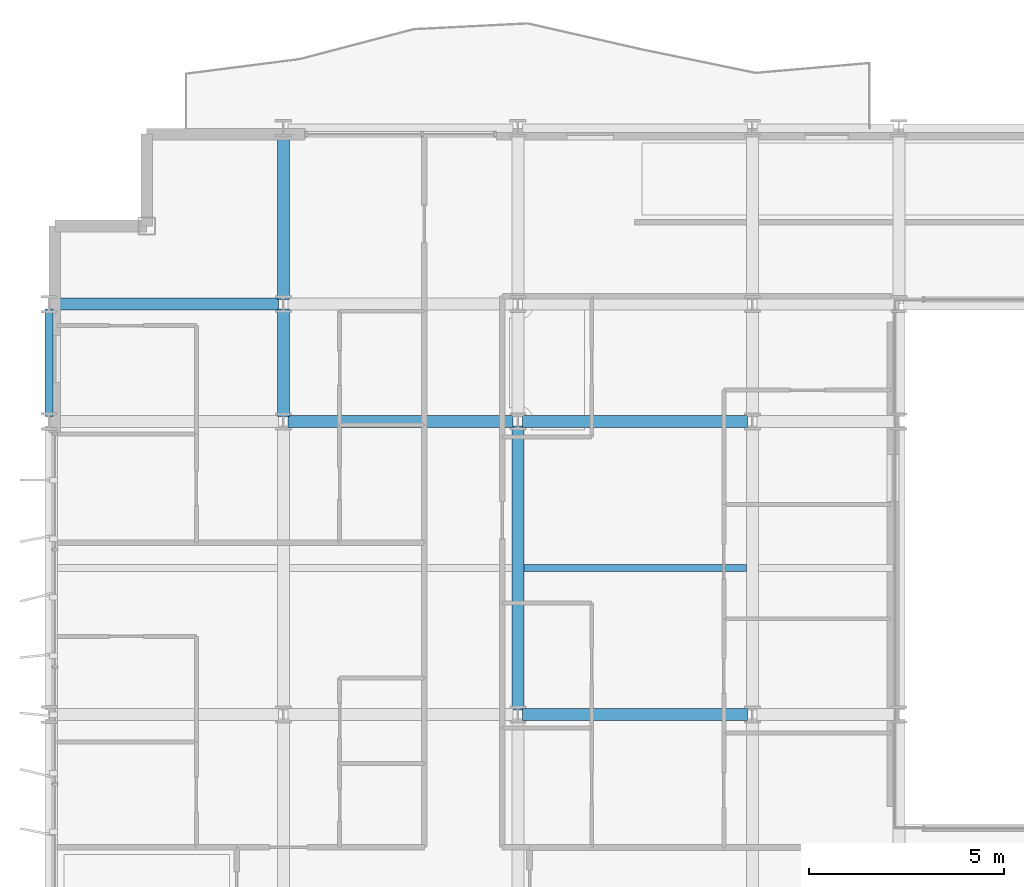
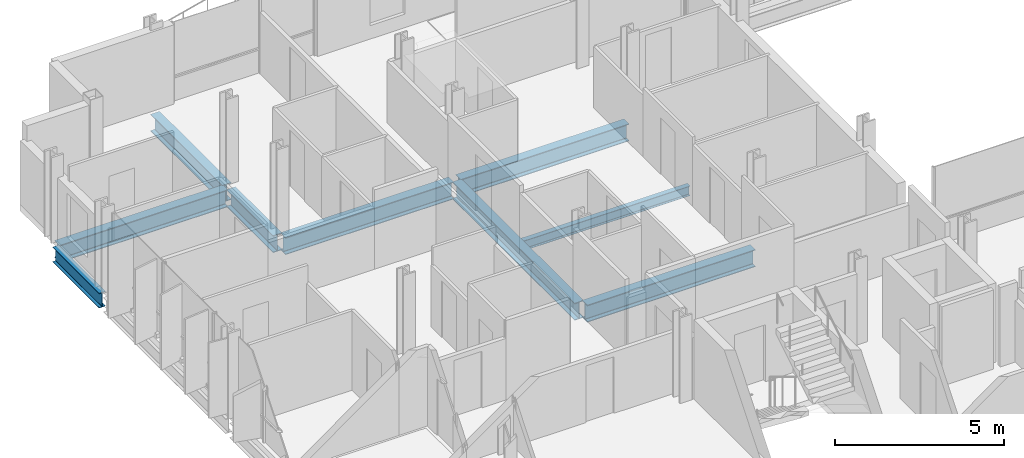
# One storey, part 6 of 38: 9 beams.
"""IFC4 building model written with IfcOpenShell, lengths in metres."""

from ifc_helpers import new_model, si_unit, direction, frame, origin, origin_2d, place, context, subcontext, project, spatial, i_section, extrude, material, material_profile, profile_set, type_object, element, save


model = new_model("IFC4")

# Units and contexts
model_context = context("Model", 3, precision=1e-05, world=origin(), true_north=direction((0.0, 1.0)))
body_context = subcontext(model_context, "Body", "Model", "MODEL_VIEW")
ifc_project = project(units=[si_unit("LENGTHUNIT", "METRE"), si_unit("AREAUNIT", "SQUARE_METRE"), si_unit("VOLUMEUNIT", "CUBIC_METRE"), si_unit("PLANEANGLEUNIT", "RADIAN"), si_unit("MASSUNIT", "GRAM", prefix="KILO")], contexts=[model_context])

# Site, building, storey
site_placement = place(None, origin())
site = spatial("IfcSite", under=ifc_project, at=site_placement, CompositionType="ELEMENT")
building_placement = place(site_placement, origin())
building = spatial("IfcBuilding", under=site, at=building_placement, Name="Brevholm Reach", CompositionType="ELEMENT")
storey_placement = place(building_placement, frame((0.0, 0.0, 65.199951171875)))
storey = spatial("IfcBuildingStorey", under=building, at=storey_placement, Name="L18", CompositionType="ELEMENT", Elevation=65.199951171875)

# Beams
ifc_material_1 = material(Name="Structural Steel S355J2", Category="steel")
ifc_material_profile_1 = material_profile(ifc_material_1, i_section(OverallWidth=0.17138671875, OverallDepth=0.35498046875, WebThickness=0.00732421875, FlangeThickness=0.011474609375, FilletRadius=0.01025390625, at=origin_2d()), Name="UKB 356x171x51")
ifc_profile_set_1 = profile_set([ifc_material_profile_1], Name="Structural Steel S355J2")
beam_type_1 = type_object("IfcBeamType", Name="BM-B356", PredefinedType="BEAM", material=ifc_profile_set_1)
beam_1_placement = place(storey_placement, frame((12.153564453125, 19.75, -0.407470703125), z_axis=(1.0, 0.0, 0.0), x_axis=(0.0, 1.0, 0.0)))
element("IfcBeam", 1, at=beam_1_placement, inside=storey, type_object=beam_type_1, Name="L18 Composite Secondary Floor Beam", PredefinedType="BEAM", context=body_context, shape_type="SweptSolid", body=[
    extrude(i_section(OverallWidth=0.17138671875, OverallDepth=0.35498046875, WebThickness=0.00732421875, FlangeThickness=0.011474609375, FilletRadius=0.01025390625, at=origin_2d()), origin(), (0.0, 0.0, 1.0), 5.69287109375),
])
ifc_material_2 = material(Name="Structural Steel S355J2", Category="steel")
ifc_material_profile_2 = material_profile(ifc_material_2, i_section(OverallWidth=0.210693359375, OverallDepth=0.53955078125, WebThickness=0.01171875, FlangeThickness=0.018798828125, FilletRadius=0.0126953125, at=origin_2d()), Name="UKB 533x210x109")
ifc_profile_set_2 = profile_set([ifc_material_profile_2], Name="Structural Steel S355J2")
beam_type_2 = type_object("IfcBeamType", Name="BM-SP539", PredefinedType="SPANDREL", material=ifc_profile_set_2)
beam_2_placement = place(storey_placement, frame((0.0, 23.6201171875, -0.499755859375), z_axis=(0.0, 1.0, 0.0), x_axis=(-1.0, 0.0, 0.0)))
element("IfcBeam", 2, at=beam_2_placement, inside=storey, type_object=beam_type_2, Name="L18 SP-01B Framing Beam", PredefinedType="SPANDREL", context=body_context, shape_type="SweptSolid", body=[
    extrude(i_section(OverallWidth=0.210693359375, OverallDepth=0.53955078125, WebThickness=0.01171875, FlangeThickness=0.018798828125, FilletRadius=0.0126953125, at=origin_2d()), origin(), (0.0, 0.0, 1.0), 2.759765625),
])
ifc_material_3 = material(Name="Structural Steel S355J2", Category="steel")
ifc_material_profile_3 = material_profile(ifc_material_3, i_section(OverallWidth=0.30712890625, OverallDepth=0.6201171875, WebThickness=0.01416015625, FlangeThickness=0.023681640625, FilletRadius=0.0166015625, at=origin_2d()), Name="UKB 610x305x179")
ifc_profile_set_3 = profile_set([ifc_material_profile_3], Name="Structural Steel S355J2")
beam_type_3 = type_object("IfcBeamType", Name="BM-UKB610H", PredefinedType="USERDEFINED", material=ifc_profile_set_3)
for number, where, z_axis, x_axis, name in (
    (3, (12.1201171875, 16.0, -0.5400390625), (1.0, 0.0, 0.0), (0.0, 1.0, 0.0), "L18 G-06 Framing Beam"),
    (4, (6.1201171875, 23.5, -0.5400390625), (1.0, 0.0, 0.0), (0.0, 1.0, 0.0), "L18 G-06 Framing Beam"),
    (5, (12.1201171875, 23.5, -0.5400390625), (1.0, 0.0, 0.0), (0.0, 1.0, 0.0), "L18 G-06 Framing Beam"),
    (6, (0.1201171875, 26.5, -0.5400390625), (1.0, 0.0, 0.0), (0.0, 1.0, 0.0), "L18 G-06 Framing Beam"),
):
    element("IfcBeam", number, at=place(storey_placement, frame(where, z_axis=z_axis, x_axis=x_axis)), inside=storey, type_object=beam_type_3, Name=name, ObjectType="GIRDER", PredefinedType="USERDEFINED", context=body_context, shape_type="SweptSolid", body=[
        extrude(i_section(OverallWidth=0.30712890625, OverallDepth=0.6201171875, WebThickness=0.01416015625, FlangeThickness=0.023681640625, FilletRadius=0.0166015625, at=origin_2d()), origin(), (0.0, 0.0, 1.0), 5.759765625),
    ])
beam_3_placement = place(storey_placement, frame((6.0, 23.6201171875, -0.5400390625), z_axis=(0.0, 1.0, 0.0), x_axis=(-1.0, 0.0, 0.0)))
element("IfcBeam", 7, at=beam_3_placement, inside=storey, type_object=beam_type_3, Name="L18 G-06 Framing Beam", ObjectType="GIRDER", PredefinedType="USERDEFINED", context=body_context, shape_type="SweptSolid", body=[
    extrude(i_section(OverallWidth=0.30712890625, OverallDepth=0.6201171875, WebThickness=0.01416015625, FlangeThickness=0.023681640625, FilletRadius=0.0166015625, at=origin_2d()), origin(), (0.0, 0.0, 1.0), 2.759765625),
])
beam_4_placement = place(storey_placement, frame((6.0, 26.6201171875, -0.5400390625), z_axis=(0.0, 1.0, 0.0), x_axis=(-1.0, 0.0, 0.0)))
element("IfcBeam", 8, at=beam_4_placement, inside=storey, type_object=beam_type_3, Name="L18 G-06 Framing Beam", ObjectType="GIRDER", PredefinedType="USERDEFINED", context=body_context, shape_type="SweptSolid", body=[
    extrude(i_section(OverallWidth=0.30712890625, OverallDepth=0.6201171875, WebThickness=0.01416015625, FlangeThickness=0.023681640625, FilletRadius=0.0166015625, at=origin_2d()), origin(), (0.0, 0.0, 1.0), 4.259765625),
])
beam_5_placement = place(storey_placement, frame((12.0, 16.1201171875, -0.5400390625), z_axis=(0.0, 1.0, 0.0), x_axis=(-1.0, 0.0, 0.0)))
element("IfcBeam", 9, at=beam_5_placement, inside=storey, type_object=beam_type_3, Name="L18 G-06 Framing Beam", ObjectType="GIRDER", PredefinedType="USERDEFINED", context=body_context, shape_type="SweptSolid", body=[
    extrude(i_section(OverallWidth=0.30712890625, OverallDepth=0.6201171875, WebThickness=0.01416015625, FlangeThickness=0.023681640625, FilletRadius=0.0166015625, at=origin_2d()), origin(), (0.0, 0.0, 1.0), 7.259765625),
])

save(model, "model.ifc")
